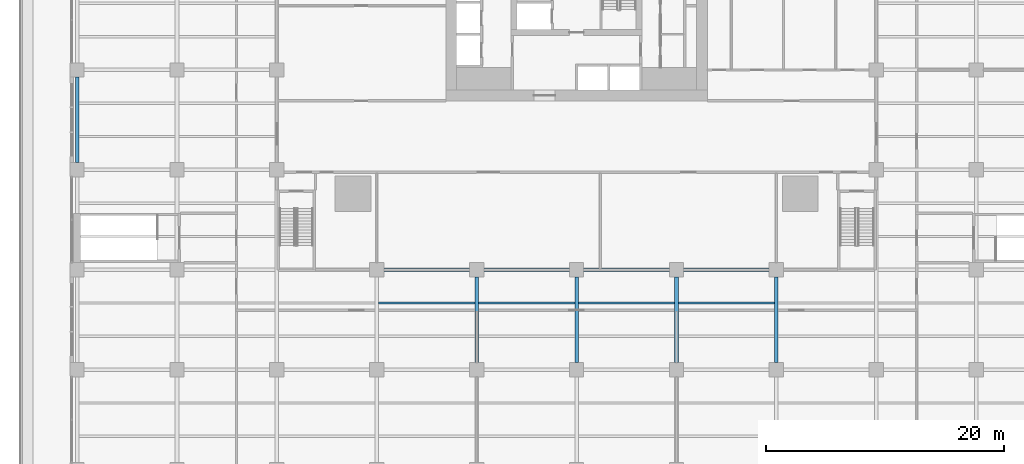
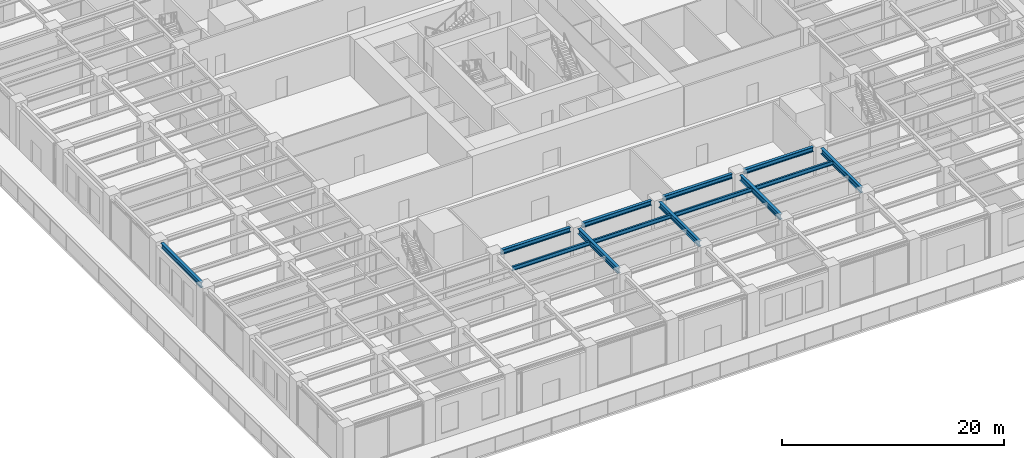
# One storey, part 6 of 53: 13 beams.
"""IFC4 building model written with IfcOpenShell, lengths in metres."""

from ifc_helpers import new_model, si_unit, direction, frame, origin, origin_2d, place, context, subcontext, project, spatial, i_section, extrude, material, material_profile, profile_set, type_object, element, save


model = new_model("IFC4")

# Units and contexts
model_context = context("Model", 3, precision=1e-05, world=origin(), true_north=direction((0.0, 1.0)))
body_context = subcontext(model_context, "Body", "Model", "MODEL_VIEW")
ifc_project = project(units=[si_unit("LENGTHUNIT", "METRE"), si_unit("AREAUNIT", "SQUARE_METRE"), si_unit("VOLUMEUNIT", "CUBIC_METRE"), si_unit("PLANEANGLEUNIT", "RADIAN"), si_unit("MASSUNIT", "GRAM", prefix="KILO")], contexts=[model_context])

# Site, building, storey
site_placement = place(None, origin())
site = spatial("IfcSite", under=ifc_project, at=site_placement, CompositionType="ELEMENT")
building_placement = place(site_placement, origin())
building = spatial("IfcBuilding", under=site, at=building_placement, Name="Khepri Terraces", CompositionType="ELEMENT")
storey_placement = place(building_placement, frame((0.0, 0.0, 7.199951171875)))
storey = spatial("IfcBuildingStorey", under=building, at=storey_placement, Name="L01", CompositionType="ELEMENT", Elevation=7.199951171875)

# Beams
ifc_material = material(Name="Steel S355", Category="steel")
ifc_material_profile_1 = material_profile(ifc_material, i_section(OverallWidth=0.300048828125, OverallDepth=0.60009765625, WebThickness=0.015380859375, FlangeThickness=0.030029296875, FilletRadius=0.027099609375, at=origin_2d()), Name="Steel S355", Category="steel")
ifc_profile_set_1 = profile_set([ifc_material_profile_1], Name="Steel S355")
beam_type_1 = type_object("IfcBeamType", Name="Podium girder L02 HEB 600", PredefinedType="BEAM", material=ifc_profile_set_1)
for number, where, z_axis, x_axis, name in (
    (1, (-42.0, -16.199951171875, 4.300048828125), (0.0, 1.0, 0.0), (-1.0, 0.0, 0.0), "Podium girder L02 004"),
    (2, (-8.39990234375, -33.0, 4.300048828125), (0.0, 1.0, 0.0), (-1.0, 0.0, 0.0), "Podium girder L02 034"),
    (3, (0.0, -33.0, 4.300048828125), (0.0, 1.0, 0.0), (-1.0, 0.0, 0.0), "Podium girder L02 038"),
    (4, (8.39990234375, -33.0, 4.300048828125), (0.0, 1.0, 0.0), (-1.0, 0.0, 0.0), "Podium girder L02 042"),
    (5, (16.800048828125, -33.0, 4.300048828125), (0.0, 1.0, 0.0), (-1.0, 0.0, 0.0), "Podium girder L02 046"),
):
    element("IfcBeam", number, at=place(storey_placement, frame(where, z_axis=z_axis, x_axis=x_axis)), inside=storey, type_object=beam_type_1, Name=name, PredefinedType="BEAM", context=body_context, shape_type="SweptSolid", body=[
        extrude(i_section(OverallWidth=0.300048828125, OverallDepth=0.60009765625, WebThickness=0.015380859375, FlangeThickness=0.030029296875, FilletRadius=0.027099609375, at=origin_2d()), origin(), (0.0, 0.0, 1.0), 7.199951171875),
    ])
ifc_material_profile_2 = material_profile(ifc_material, i_section(OverallWidth=0.300048828125, OverallDepth=0.5, WebThickness=0.014404296875, FlangeThickness=0.028076171875, FilletRadius=0.027099609375, at=origin_2d()), Name="Steel S355", Category="steel")
ifc_profile_set_2 = profile_set([ifc_material_profile_2], Name="Steel S355")
beam_type_2 = type_object("IfcBeamType", Name="Podium girder L02 grid line HEB 500", PredefinedType="BEAM", material=ifc_profile_set_2)
for number, where, z_axis, x_axis, name in (
    (6, (-16.199951171875, -25.199951171875, 4.35009765625), (1.0, 0.0, 0.0), (0.0, 1.0, 0.0), "Podium grid-line girder L02 063"),
    (7, (-7.800048828125, -25.199951171875, 4.35009765625), (1.0, 0.0, 0.0), (0.0, 1.0, 0.0), "Podium grid-line girder L02 064"),
    (8, (0.60009765625, -25.199951171875, 4.35009765625), (1.0, 0.0, 0.0), (0.0, 1.0, 0.0), "Podium grid-line girder L02 065"),
    (9, (9.0, -25.199951171875, 4.35009765625), (1.0, 0.0, 0.0), (0.0, 1.0, 0.0), "Podium grid-line girder L02 066"),
):
    element("IfcBeam", number, at=place(storey_placement, frame(where, z_axis=z_axis, x_axis=x_axis)), inside=storey, type_object=beam_type_2, Name=name, PredefinedType="BEAM", context=body_context, shape_type="SweptSolid", body=[
        extrude(i_section(OverallWidth=0.300048828125, OverallDepth=0.5, WebThickness=0.014404296875, FlangeThickness=0.028076171875, FilletRadius=0.027099609375, at=origin_2d()), origin(), (0.0, 0.0, 1.0), 7.199951171875),
    ])
ifc_material_profile_3 = material_profile(ifc_material, i_section(OverallWidth=0.18994140625, OverallDepth=0.449951171875, WebThickness=0.009521484375, FlangeThickness=0.0146484375, FilletRadius=0.02099609375, at=origin_2d()), Name="Steel S355", Category="steel")
ifc_profile_set_3 = profile_set([ifc_material_profile_3], Name="Steel S355")
beam_type_3 = type_object("IfcBeamType", Name="Podium joist L02 IPE 450", PredefinedType="JOIST", material=ifc_profile_set_3)
beam_1_placement = place(storey_placement, frame((-16.64990234375, -28.0, 4.375), z_axis=(1.0, 0.0, 0.0), x_axis=(0.0, 1.0, 0.0)))
element("IfcBeam", 10, at=beam_1_placement, inside=storey, type_object=beam_type_3, Name="Podium joist L02 054", PredefinedType="JOIST", context=body_context, shape_type="SweptSolid", body=[
    extrude(i_section(OverallWidth=0.18994140625, OverallDepth=0.449951171875, WebThickness=0.009521484375, FlangeThickness=0.0146484375, FilletRadius=0.02099609375, at=origin_2d()), origin(), (0.0, 0.0, 1.0), 8.099853515625),
])
for number, where, z_axis, x_axis, name in (
    (11, (-8.25, -28.0, 4.375), (1.0, 0.0, 0.0), (0.0, 1.0, 0.0), "Podium joist L02 055"),
    (12, (0.14990234375, -28.0, 4.375), (1.0, 0.0, 0.0), (0.0, 1.0, 0.0), "Podium joist L02 056"),
):
    element("IfcBeam", number, at=place(storey_placement, frame(where, z_axis=z_axis, x_axis=x_axis)), inside=storey, type_object=beam_type_3, Name=name, PredefinedType="JOIST", context=body_context, shape_type="SweptSolid", body=[
        extrude(i_section(OverallWidth=0.18994140625, OverallDepth=0.449951171875, WebThickness=0.009521484375, FlangeThickness=0.0146484375, FilletRadius=0.02099609375, at=origin_2d()), origin(), (0.0, 0.0, 1.0), 8.10009765625),
    ])
beam_2_placement = place(storey_placement, frame((8.550048828125, -28.0, 4.375), z_axis=(1.0, 0.0, 0.0), x_axis=(0.0, 1.0, 0.0)))
element("IfcBeam", 13, at=beam_2_placement, inside=storey, type_object=beam_type_3, Name="Podium joist L02 057", PredefinedType="JOIST", context=body_context, shape_type="SweptSolid", body=[
    extrude(i_section(OverallWidth=0.18994140625, OverallDepth=0.449951171875, WebThickness=0.009521484375, FlangeThickness=0.0146484375, FilletRadius=0.02099609375, at=origin_2d()), origin(), (0.0, 0.0, 1.0), 8.099853515625),
])

save(model, "model.ifc")
